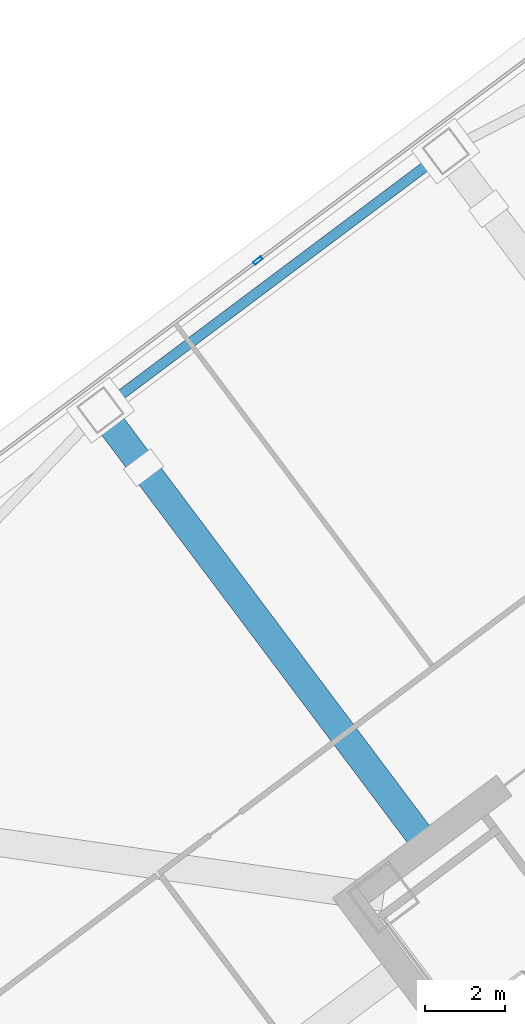
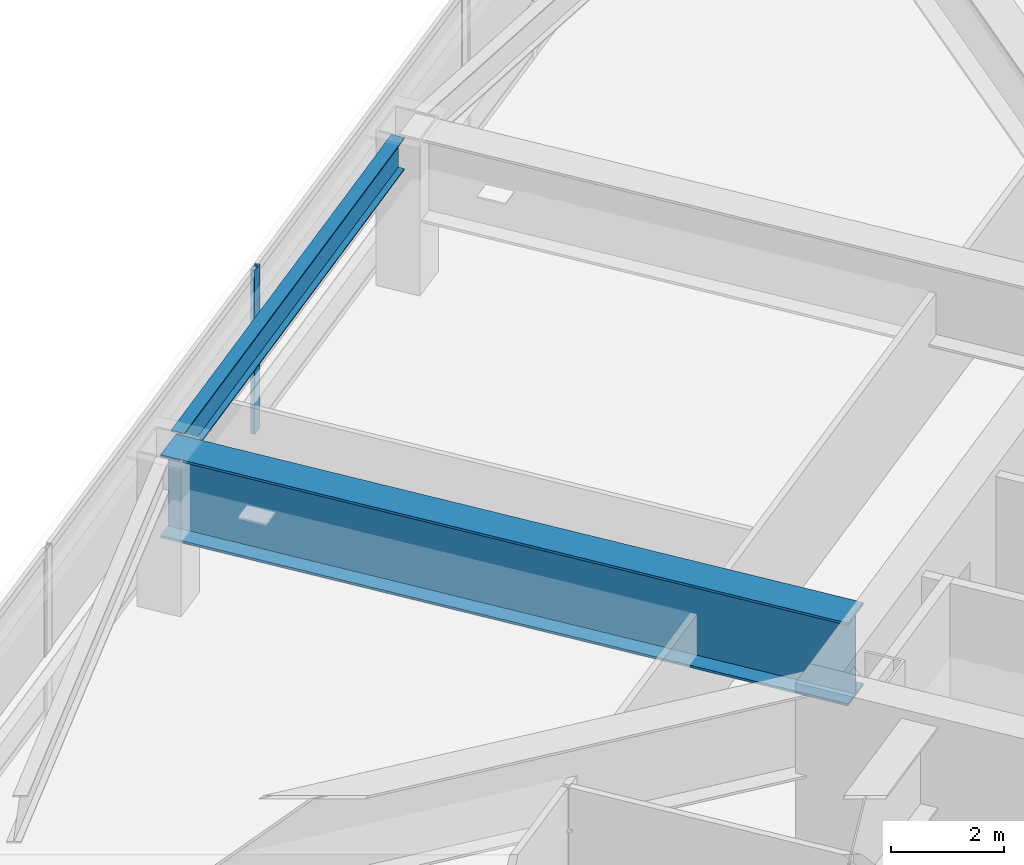
# One storey, part 30 of 48: 2 beams, 1 member, 1 element without a shape of its own.
"""IFC4 building model written with IfcOpenShell, lengths in metres."""

from ifc_helpers import new_model, si_unit, direction, frame, origin, origin_2d, place, context, subcontext, project, spatial, hollow_rectangle, i_section, extrude, material, material_profile, profile_set, type_object, element, aggregate, save


model = new_model("IFC4")

# Units and contexts
model_context = context("Model", 3, precision=1e-05, world=origin(), true_north=direction((0.0, 1.0)))
body_context = subcontext(model_context, "Body", "Model", "MODEL_VIEW")
ifc_project = project(units=[si_unit("LENGTHUNIT", "METRE"), si_unit("AREAUNIT", "SQUARE_METRE"), si_unit("VOLUMEUNIT", "CUBIC_METRE"), si_unit("PLANEANGLEUNIT", "RADIAN"), si_unit("MASSUNIT", "GRAM", prefix="KILO")], contexts=[model_context])

# Site, building, storey
site_placement = place(None, origin())
site = spatial("IfcSite", under=ifc_project, at=site_placement, CompositionType="ELEMENT")
building_placement = place(site_placement, origin())
building = spatial("IfcBuilding", under=site, at=building_placement, Name="Tashvorn Skyway Center", CompositionType="ELEMENT")
storey_placement = place(building_placement, frame((0.0, 0.0, 63.64990234375)))
storey = spatial("IfcBuildingStorey", under=building, at=storey_placement, Name="L16", CompositionType="ELEMENT", Elevation=63.64990234375)

# Beams
ifc_material_1 = material(Name="Steel ASTM A572 Grade 50", Category="steel")
ifc_material_profile_1 = material_profile(ifc_material_1, i_section(OverallWidth=0.699951171875, OverallDepth=1.800048828125, WebThickness=0.031982421875, FlangeThickness=0.050048828125, at=origin_2d()), Name="PG1800x700")
ifc_profile_set_1 = profile_set([ifc_material_profile_1], Name="Steel ASTM A572 Grade 50")
beam_type_1 = type_object("IfcBeamType", Name="BM-BEAM-PG1800x700", PredefinedType="BEAM", material=ifc_profile_set_1)
beam_1_placement = place(storey_placement, frame((97.050048828125, 45.60009765625, 2.4501953125), z_axis=(0.599988225359, -0.800008830845, 0.0), x_axis=(0.800008830845, 0.599988225359, 0.0)))
element("IfcBeam", 1, at=beam_1_placement, inside=storey, type_object=beam_type_1, Name="Tower 2 L16 Setback Transfer Girder FC-N2", PredefinedType="BEAM", context=body_context, shape_type="SweptSolid", body=[
    extrude(i_section(OverallWidth=0.699951171875, OverallDepth=1.800048828125, WebThickness=0.031982421875, FlangeThickness=0.050048828125, at=origin_2d()), origin(), (0.0, 0.0, 1.0), 13.27001953125),
])
ifc_material_2 = material(Name="Steel ASTM A992 Grade 50", Category="steel")
ifc_material_profile_2 = material_profile(ifc_material_2, i_section(OverallWidth=0.256103515625, OverallDepth=0.693115234375, WebThickness=0.014404296875, FlangeThickness=0.023681640625, at=origin_2d()), Name="W27X114")
ifc_profile_set_2 = profile_set([ifc_material_profile_2], Name="Steel ASTM A992 Grade 50")
beam_type_2 = type_object("IfcBeamType", Name="BM-SPANDREL-W27X114", PredefinedType="SPANDREL", material=ifc_profile_set_2)
beam_2_placement = place(storey_placement, frame((105.35400390625, 51.827880859375, 3.003662109375), z_axis=(-0.800008824351, -0.599988234018, 0.0), x_axis=(0.599988234018, -0.800008824351, 0.0)))
element("IfcBeam", 2, at=beam_2_placement, inside=storey, type_object=beam_type_2, Name="Tower 2 L16 Spandrel Beam 08", PredefinedType="SPANDREL", context=body_context, shape_type="SweptSolid", body=[
    extrude(i_section(OverallWidth=0.256103515625, OverallDepth=0.693115234375, WebThickness=0.014404296875, FlangeThickness=0.023681640625, at=origin_2d()), origin(), (0.0, 0.0, 1.0), 9.9599609375),
])

# Curtain wall, member
ifc_material_3 = material(Name="Thermally broken bronze-anodized aluminium 6063-T6", Category="aluminium")
curtain_wall_type = type_object("IfcCurtainWallType", Name="CW-CW-Z1", PredefinedType="NOTDEFINED", material=ifc_material_3)
curtain_wall_placement = place(storey_placement, origin())
curtain_wall = element("IfcCurtainWall", 3, at=curtain_wall_placement, inside=storey, type_object=curtain_wall_type, Name="Tower 2 L16 North Unitised Curtain Wall Glazing Group 2", PredefinedType="NOTDEFINED")
ifc_material_profile_3 = material_profile(ifc_material_3, hollow_rectangle(XDim=0.0849609375, YDim=0.239990234375, WallThickness=0.0048828125, at=origin_2d()), Name="ALU-MULL-85x240")
ifc_profile_set_3 = profile_set([ifc_material_profile_3], Name="Thermally broken bronze-anodized aluminium 6063-T6")
member_type = type_object("IfcMemberType", Name="CWM-CW-Z1", PredefinedType="MULLION", material=ifc_profile_set_3)
member_placement = place(storey_placement, frame((100.991943359375, 49.343994140625, 0.0), z_axis=(0.0, 0.0, 1.0), x_axis=(-0.600000000002, 0.799999999998, 0.0)))
member = element("IfcMember", 4, at=member_placement, type_object=member_type, Name="CW-Z1 mullion 2", PredefinedType="MULLION", context=body_context, shape_type="SweptSolid", body=[
    extrude(hollow_rectangle(XDim=0.0849609375, YDim=0.239990234375, WallThickness=0.0048828125, at=origin_2d()), origin(), (0.0, 0.0, 1.0), 3.550048828125),
])
aggregate(curtain_wall, [member])

save(model, "model.ifc")
